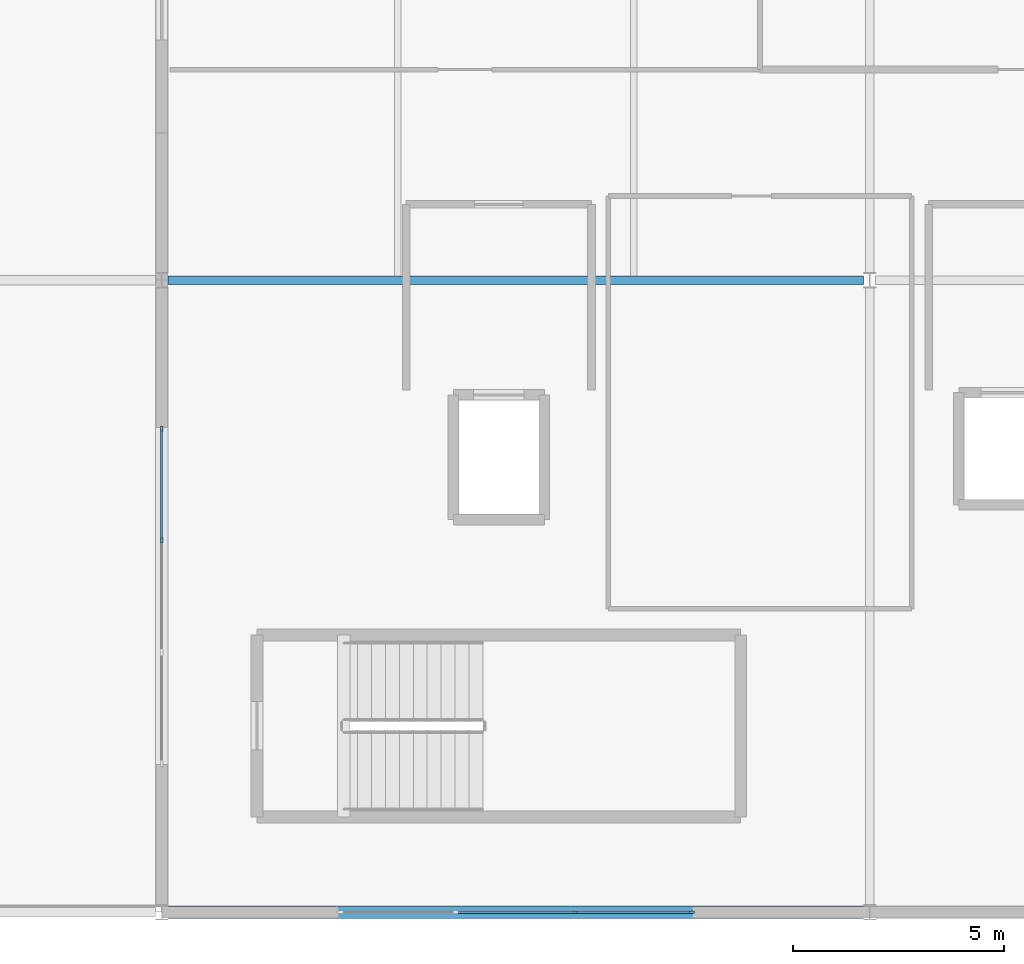
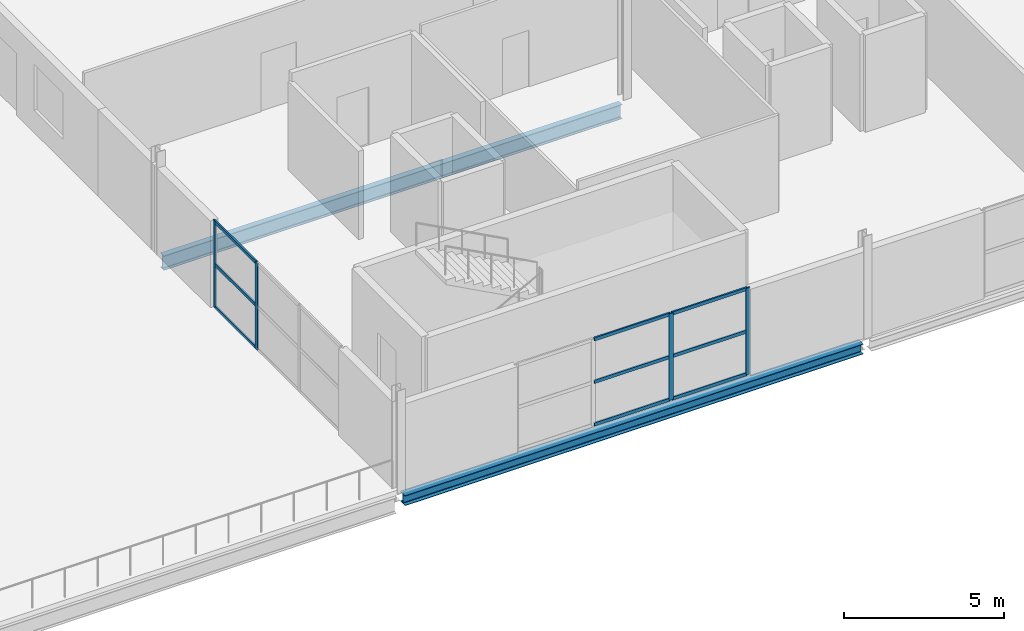
# One storey, part 4 of 18: 13 members, 2 beams, 2 elements without a shape of their own.
"""IFC4 building model written with IfcOpenShell, lengths in metres."""

from ifc_helpers import new_model, si_unit, direction, frame, origin, origin_2d, place, context, subcontext, project, spatial, rectangle, i_section, extrude, material, material_profile, profile_set, type_object, element, aggregate, save


model = new_model("IFC4")

# Units and contexts
model_context = context("Model", 3, precision=1e-05, world=origin(), true_north=direction((0.0, 1.0)))
body_context = subcontext(model_context, "Body", "Model", "MODEL_VIEW")
ifc_project = project(units=[si_unit("LENGTHUNIT", "METRE"), si_unit("AREAUNIT", "SQUARE_METRE"), si_unit("VOLUMEUNIT", "CUBIC_METRE"), si_unit("PLANEANGLEUNIT", "RADIAN"), si_unit("MASSUNIT", "GRAM", prefix="KILO")], contexts=[model_context])

# Site, building, storey
site_placement = place(None, origin())
site = spatial("IfcSite", under=ifc_project, at=site_placement, CompositionType="ELEMENT")
building_placement = place(site_placement, origin())
building = spatial("IfcBuilding", under=site, at=building_placement, Name="Kimbaza Rail Terminus", CompositionType="ELEMENT")
storey_placement = place(building_placement, frame((0.0, 0.0, 24.89990234375)))
storey = spatial("IfcBuildingStorey", under=building, at=storey_placement, Name="L05", CompositionType="ELEMENT", Elevation=24.89990234375)

# Curtain wall, members
ifc_material_1 = material(Name="Anodised aluminium framing and solar low-E glazing", Category="aluminium")
curtain_wall_type = type_object("IfcCurtainWallType", Name="ARC-CW-OP2", PredefinedType="USERDEFINED", material=ifc_material_1)
curtain_wall_1_placement = place(storey_placement, origin())
curtain_wall_1 = element("IfcCurtainWall", 1, at=curtain_wall_1_placement, inside=storey, type_object=curtain_wall_type, Name="Operations South Curtain Wall L05 Bay 1", ObjectType="STICK CURTAIN WALL", PredefinedType="USERDEFINED")
ifc_material_2 = material(Name="Anodised architectural aluminium", Category="aluminium")
ifc_material_profile_1 = material_profile(ifc_material_2, rectangle(XDim=0.05810546875, YDim=0.14990234375, at=origin_2d()), Name="MULLION 58x150")
ifc_profile_set_1 = profile_set([ifc_material_profile_1], Name="Anodised architectural aluminium")
member_type_1 = type_object("IfcMemberType", Name="ARC-CWM-06", PredefinedType="MULLION", material=ifc_profile_set_1)
member_1_placement = place(storey_placement, frame((81.800048828125, 103.0, 0.0), z_axis=(0.0, 0.0, 1.0), x_axis=(0.0, 1.0, 0.0)))
member_1 = element("IfcMember", 2, at=member_1_placement, type_object=member_type_1, Name="CW-06 mullion 3", PredefinedType="MULLION", context=body_context, shape_type="SweptSolid", body=[
    extrude(rectangle(XDim=0.05810546875, YDim=0.14990234375, at=origin_2d()), origin(), (0.0, 0.0, 1.0), 3.300048828125),
])
member_2_placement = place(storey_placement, frame((84.571044921875, 103.0, 0.0), z_axis=(0.0, 0.0, 1.0), x_axis=(0.0, 1.0, 0.0)))
member_2 = element("IfcMember", 3, at=member_2_placement, type_object=member_type_1, Name="CW-06 mullion 4", PredefinedType="MULLION", context=body_context, shape_type="SweptSolid", body=[
    extrude(rectangle(XDim=0.05810546875, YDim=0.14990234375, at=origin_2d()), origin(), (0.0, 0.0, 1.0), 3.300048828125),
])

curtain_wall_2_placement = place(storey_placement, origin())
curtain_wall_2 = element("IfcCurtainWall", 4, at=curtain_wall_2_placement, inside=storey, type_object=curtain_wall_type, Name="Operations W Curtain Wall L05.1", ObjectType="STICK CURTAIN WALL", PredefinedType="USERDEFINED")
member_3_placement = place(storey_placement, frame((72.0, 111.833251953125, 0.0), z_axis=(0.0, 0.0, 1.0), x_axis=(-1.0, 0.0, 0.0)))
member_3 = element("IfcMember", 5, at=member_3_placement, type_object=member_type_1, Name="CW-06 mullion 3", PredefinedType="MULLION", context=body_context, shape_type="SweptSolid", body=[
    extrude(rectangle(XDim=0.05810546875, YDim=0.14990234375, at=origin_2d()), origin(), (0.0, 0.0, 1.0), 3.300048828125),
])
member_4_placement = place(storey_placement, frame((72.0, 114.470947265625, 0.0), z_axis=(0.0, 0.0, 1.0), x_axis=(-1.0, 0.0, 0.0)))
member_4 = element("IfcMember", 6, at=member_4_placement, type_object=member_type_1, Name="CW-06 mullion 4", PredefinedType="MULLION", context=body_context, shape_type="SweptSolid", body=[
    extrude(rectangle(XDim=0.05810546875, YDim=0.14990234375, at=origin_2d()), origin(), (0.0, 0.0, 1.0), 3.300048828125),
])

# Member
ifc_material_3 = material(Name="Anodised architectural aluminium", Category="aluminium")
ifc_material_profile_2 = material_profile(ifc_material_3, rectangle(XDim=0.05810546875, YDim=0.125, at=origin_2d()), Name="TRANSOM 58x125")
ifc_profile_set_2 = profile_set([ifc_material_profile_2], Name="Anodised architectural aluminium")
member_type_2 = type_object("IfcMemberType", Name="ARC-CWT-06", PredefinedType="USERDEFINED", material=ifc_profile_set_2)
member_5_placement = place(storey_placement, frame((79.029052734375, 103.0, 0.029052734375), z_axis=(1.0, 0.0, 0.0), x_axis=(0.0, 1.0, 0.0)))
member_5 = element("IfcMember", 7, at=member_5_placement, type_object=member_type_2, Name="CW-06 transom 2.1", ObjectType="TRANSOM", PredefinedType="USERDEFINED", context=body_context, shape_type="SweptSolid", body=[
    extrude(rectangle(XDim=0.05810546875, YDim=0.125, at=origin_2d()), origin(), (0.0, 0.0, 1.0), 2.741943359375),
])

member_6_placement = place(storey_placement, frame((79.029052734375, 103.0, 1.650146484375), z_axis=(1.0, 0.0, 0.0), x_axis=(0.0, 1.0, 0.0)))
member_6 = element("IfcMember", 8, at=member_6_placement, type_object=member_type_2, Name="CW-06 transom 2.2", ObjectType="TRANSOM", PredefinedType="USERDEFINED", context=body_context, shape_type="SweptSolid", body=[
    extrude(rectangle(XDim=0.05810546875, YDim=0.125, at=origin_2d()), origin(), (0.0, 0.0, 1.0), 2.741943359375),
])

member_7_placement = place(storey_placement, frame((79.029052734375, 103.0, 3.27099609375), z_axis=(1.0, 0.0, 0.0), x_axis=(0.0, 1.0, 0.0)))
member_7 = element("IfcMember", 9, at=member_7_placement, type_object=member_type_2, Name="CW-06 transom 2.3", ObjectType="TRANSOM", PredefinedType="USERDEFINED", context=body_context, shape_type="SweptSolid", body=[
    extrude(rectangle(XDim=0.05810546875, YDim=0.125, at=origin_2d()), origin(), (0.0, 0.0, 1.0), 2.741943359375),
])

member_8_placement = place(storey_placement, frame((81.8291015625, 103.0, 0.029052734375), z_axis=(1.0, 0.0, 0.0), x_axis=(0.0, 1.0, 0.0)))
member_8 = element("IfcMember", 10, at=member_8_placement, type_object=member_type_2, Name="CW-06 transom 3.1", ObjectType="TRANSOM", PredefinedType="USERDEFINED", context=body_context, shape_type="SweptSolid", body=[
    extrude(rectangle(XDim=0.05810546875, YDim=0.125, at=origin_2d()), origin(), (0.0, 0.0, 1.0), 2.712890625),
])

member_9_placement = place(storey_placement, frame((81.8291015625, 103.0, 1.650146484375), z_axis=(1.0, 0.0, 0.0), x_axis=(0.0, 1.0, 0.0)))
member_9 = element("IfcMember", 11, at=member_9_placement, type_object=member_type_2, Name="CW-06 transom 3.2", ObjectType="TRANSOM", PredefinedType="USERDEFINED", context=body_context, shape_type="SweptSolid", body=[
    extrude(rectangle(XDim=0.05810546875, YDim=0.125, at=origin_2d()), origin(), (0.0, 0.0, 1.0), 2.712890625),
])

member_10_placement = place(storey_placement, frame((81.8291015625, 103.0, 3.27099609375), z_axis=(1.0, 0.0, 0.0), x_axis=(0.0, 1.0, 0.0)))
member_10 = element("IfcMember", 12, at=member_10_placement, type_object=member_type_2, Name="CW-06 transom 3.3", ObjectType="TRANSOM", PredefinedType="USERDEFINED", context=body_context, shape_type="SweptSolid", body=[
    extrude(rectangle(XDim=0.05810546875, YDim=0.125, at=origin_2d()), origin(), (0.0, 0.0, 1.0), 2.712890625),
])

aggregate(curtain_wall_1, [member_1, member_2, member_5, member_6, member_7, member_8, member_9, member_10])

member_11_placement = place(storey_placement, frame((72.0, 111.8623046875, 0.029052734375), z_axis=(0.0, 1.0, 0.0), x_axis=(-1.0, 0.0, 0.0)))
member_11 = element("IfcMember", 13, at=member_11_placement, type_object=member_type_2, Name="CW-06 transom 3.1", ObjectType="TRANSOM", PredefinedType="USERDEFINED", context=body_context, shape_type="SweptSolid", body=[
    extrude(rectangle(XDim=0.05810546875, YDim=0.125, at=origin_2d()), origin(), (0.0, 0.0, 1.0), 2.57958984375),
])

member_12_placement = place(storey_placement, frame((72.0, 111.8623046875, 1.650146484375), z_axis=(0.0, 1.0, 0.0), x_axis=(-1.0, 0.0, 0.0)))
member_12 = element("IfcMember", 14, at=member_12_placement, type_object=member_type_2, Name="CW-06 transom 3.2", ObjectType="TRANSOM", PredefinedType="USERDEFINED", context=body_context, shape_type="SweptSolid", body=[
    extrude(rectangle(XDim=0.05810546875, YDim=0.125, at=origin_2d()), origin(), (0.0, 0.0, 1.0), 2.57958984375),
])

member_13_placement = place(storey_placement, frame((72.0, 111.8623046875, 3.27099609375), z_axis=(0.0, 1.0, 0.0), x_axis=(-1.0, 0.0, 0.0)))
member_13 = element("IfcMember", 15, at=member_13_placement, type_object=member_type_2, Name="CW-06 transom 3.3", ObjectType="TRANSOM", PredefinedType="USERDEFINED", context=body_context, shape_type="SweptSolid", body=[
    extrude(rectangle(XDim=0.05810546875, YDim=0.125, at=origin_2d()), origin(), (0.0, 0.0, 1.0), 2.57958984375),
])

aggregate(curtain_wall_2, [member_3, member_4, member_11, member_12, member_13])

# Beams
ifc_material_4 = material(Name="Steel S355", Category="steel")
ifc_material_profile_3 = material_profile(ifc_material_4, i_section(OverallWidth=0.300048828125, OverallDepth=0.389892578125, WebThickness=0.010986328125, FlangeThickness=0.01904296875, FilletRadius=0.027099609375, at=origin_2d()), Name="HEA 400")
ifc_profile_set_3 = profile_set([ifc_material_profile_3], Name="Steel S355")
beam_type_1 = type_object("IfcBeamType", Name="STR-BM-HEA400", PredefinedType="SPANDREL", material=ifc_profile_set_3)
beam_1_placement = place(storey_placement, frame((72.14599609375, 103.0, -0.385009765625), z_axis=(1.0, 0.0, 0.0), x_axis=(0.0, 1.0, 0.0)))
element("IfcBeam", 16, at=beam_1_placement, inside=storey, type_object=beam_type_1, Name="Operations Girder L05 X0-Y0", PredefinedType="SPANDREL", context=body_context, shape_type="SweptSolid", body=[
    extrude(i_section(OverallWidth=0.300048828125, OverallDepth=0.389892578125, WebThickness=0.010986328125, FlangeThickness=0.01904296875, FilletRadius=0.027099609375, at=origin_2d()), origin(), (0.0, 0.0, 1.0), 16.508056640625),
])
ifc_material_5 = material(Name="Steel S355", Category="steel")
ifc_material_profile_4 = material_profile(ifc_material_5, i_section(OverallWidth=0.2099609375, OverallDepth=0.550048828125, WebThickness=0.010986328125, FlangeThickness=0.01708984375, FilletRadius=0.02392578125, at=origin_2d()), Name="IPE 550")
ifc_profile_set_4 = profile_set([ifc_material_profile_4], Name="Steel S355")
beam_type_2 = type_object("IfcBeamType", Name="STR-BM-IPE550", PredefinedType="BEAM", material=ifc_profile_set_4)
beam_2_placement = place(storey_placement, frame((72.14599609375, 118.0, -0.46484375), z_axis=(1.0, 0.0, 0.0), x_axis=(0.0, 1.0, 0.0)))
element("IfcBeam", 17, at=beam_2_placement, inside=storey, type_object=beam_type_2, Name="Operations Girder L05 X0-Y1", PredefinedType="BEAM", context=body_context, shape_type="SweptSolid", body=[
    extrude(i_section(OverallWidth=0.2099609375, OverallDepth=0.550048828125, WebThickness=0.010986328125, FlangeThickness=0.01708984375, FilletRadius=0.02392578125, at=origin_2d()), origin(), (0.0, 0.0, 1.0), 16.508056640625),
])

save(model, "model.ifc")
